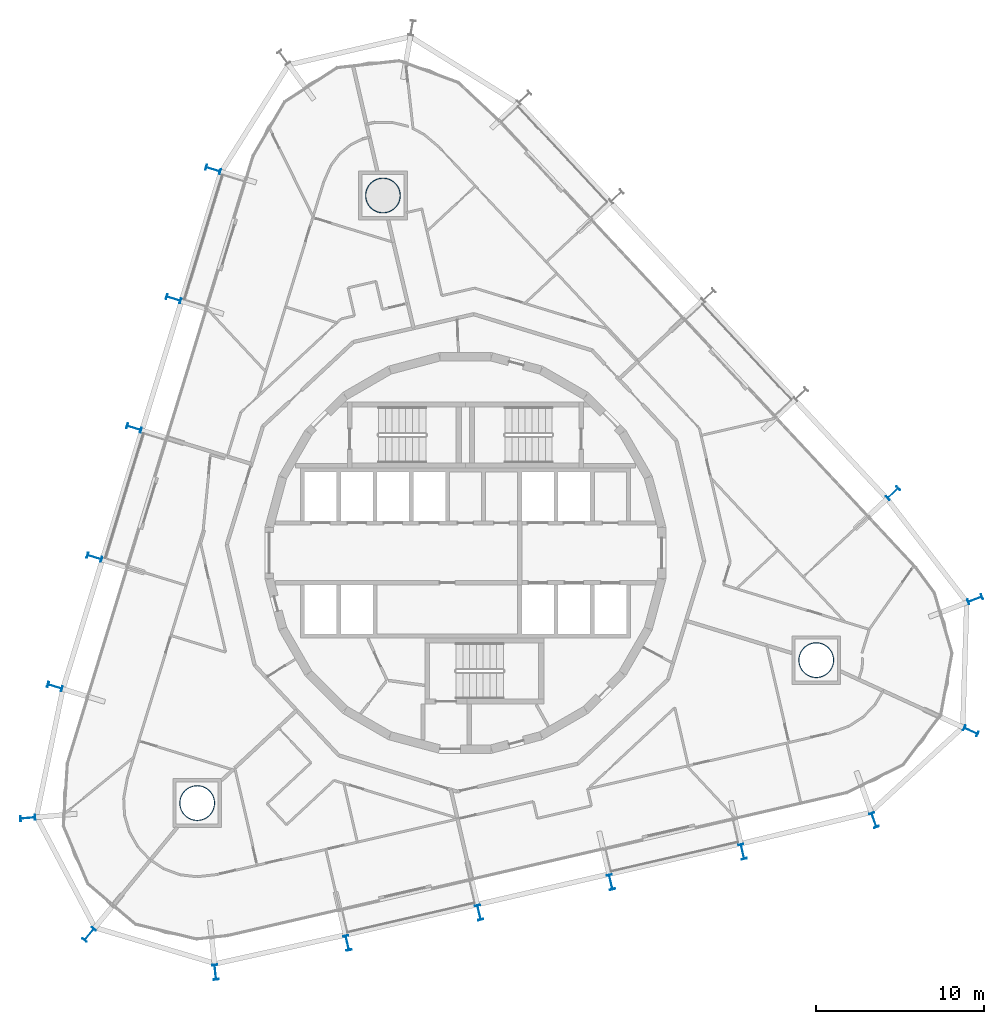
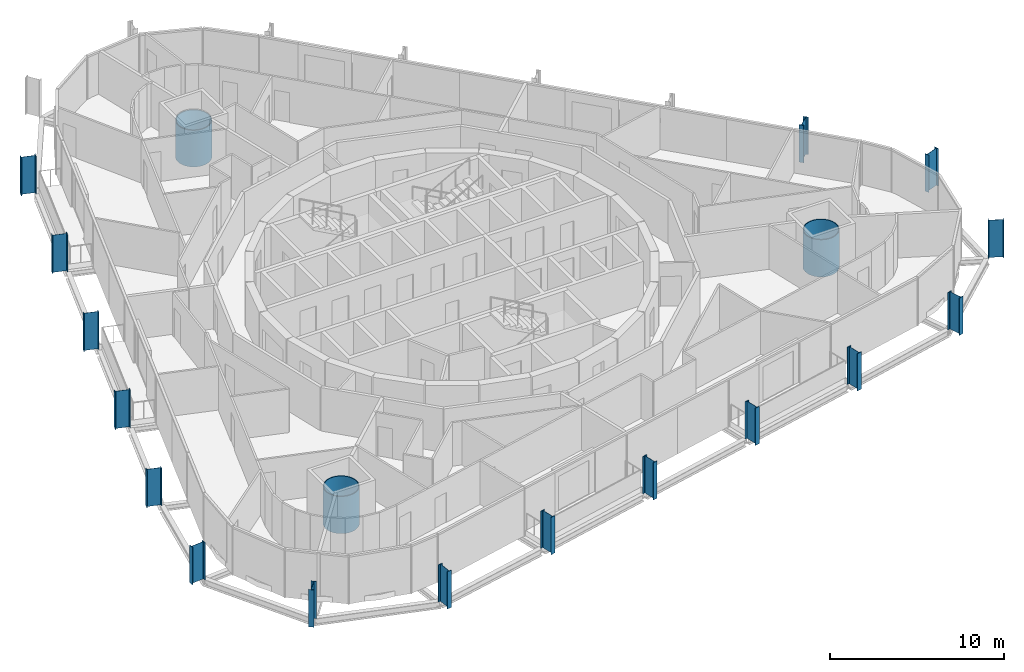
# One storey, part 1 of 18: 19 columns.
"""IFC4 building model written with IfcOpenShell, lengths in metres."""

from ifc_helpers import new_model, si_unit, direction, frame, origin, origin_2d, place, context, subcontext, project, spatial, hollow_circle, i_section, extrude, material, material_profile, profile_set, type_object, element, save


model = new_model("IFC4")

# Units and contexts
model_context = context("Model", 3, precision=1e-05, world=origin(), true_north=direction((0.0, 1.0)))
body_context = subcontext(model_context, "Body", "Model", "MODEL_VIEW")
ifc_project = project(units=[si_unit("LENGTHUNIT", "METRE"), si_unit("AREAUNIT", "SQUARE_METRE"), si_unit("VOLUMEUNIT", "CUBIC_METRE"), si_unit("PLANEANGLEUNIT", "RADIAN"), si_unit("MASSUNIT", "GRAM", prefix="KILO")], contexts=[model_context])

# Site, building, storey
site_placement = place(None, origin())
site = spatial("IfcSite", under=ifc_project, at=site_placement, CompositionType="ELEMENT")
building_placement = place(site_placement, origin())
building = spatial("IfcBuilding", under=site, at=building_placement, Name="Spindle Arch Residences", CompositionType="ELEMENT")
storey_placement = place(building_placement, frame((0.0, 0.0, 141.39990234375)))
storey = spatial("IfcBuildingStorey", under=building, at=storey_placement, Name="L35", CompositionType="ELEMENT", Elevation=141.39990234375)

# Columns
ifc_material_1 = material(Name="Steel S460ML, intumescent coating R 240", Category="steel")
ifc_material_profile_1 = material_profile(ifc_material_1, i_section(OverallWidth=0.300048828125, OverallDepth=0.89990234375, WebThickness=0.0185546875, FlangeThickness=0.034912109375, FilletRadius=0.030029296875, at=origin_2d()), Name="HEB 900")
ifc_profile_set_1 = profile_set([ifc_material_profile_1], Name="Steel S460ML, intumescent coating R 240")
column_type_1 = type_object("IfcColumnType", Name="Exoskeleton post HEB 900", PredefinedType="COLUMN", material=ifc_profile_set_1)
for number, where, z_axis, x_axis, name in (
    (1, (8.633544921875, -19.5498046875, -0.3798828125), (0.0, 0.0, 1.0), (-0.974370073419, -0.224951016948, 0.0), "Exoskeleton post 1"),
    (2, (16.45703125, -17.74365234375, -0.3798828125), (0.0, 0.0, 1.0), (-0.974370073419, -0.224951016948, 0.0), "Exoskeleton post 2"),
    (3, (24.26123046875, -15.86767578125, -0.3798828125), (0.0, 0.0, 1.0), (-0.940523325903, -0.339729117728, 0.0), "Exoskeleton post 3"),
    (4, (30.013916015625, -10.5712890625, -0.3798828125), (0.0, 0.0, 1.0), (-0.416143895931, -0.909298772615, 0.0), "Exoskeleton post 4"),
    (5, (30.261962890625, -2.756103515625, -0.3798828125), (0.0, 0.0, 1.0), (0.357664986637, -0.933849965109, 0.0), "Exoskeleton post 5"),
    (6, (25.390869140625, 3.550048828125, -0.3798828125), (0.0, 0.0, 1.0), (0.68199801865, -0.731354019992, 0.0), "Exoskeleton post 6"),
    (7, (-14.9873046875, 22.7734375, -0.3798828125), (0.0, 0.0, 1.0), (0.29237190653, 0.956304694264, 0.0), "Exoskeleton post 13"),
    (8, (-17.3349609375, 15.09521484375, -0.3798828125), (0.0, 0.0, 1.0), (0.29237190653, 0.956304694264, 0.0), "Exoskeleton post 14"),
    (9, (-19.682373046875, 7.4169921875, -0.3798828125), (0.0, 0.0, 1.0), (0.29237190653, 0.956304694264, 0.0), "Exoskeleton post 15"),
    (10, (-22.02978515625, -0.261474609375, -0.3798828125), (0.0, 0.0, 1.0), (0.29237190653, 0.956304694264, 0.0), "Exoskeleton post 16"),
    (11, (-24.37744140625, -7.939697265625, -0.3798828125), (0.0, 0.0, 1.0), (0.29237190653, 0.956304694264, 0.0), "Exoskeleton post 17"),
    (12, (-25.9912109375, -15.742919921875, -0.3798828125), (0.0, 0.0, 1.0), (-0.087904987966, 0.996128863697, 0.0), "Exoskeleton post 18"),
    (13, (-22.34228515625, -22.65869140625, -0.3798828125), (0.0, 0.0, 1.0), (-0.772637925649, 0.634846938915, 0.0), "Exoskeleton post 19"),
    (14, (-14.85009765625, -24.897216796875, -0.3798828125), (0.0, 0.0, 1.0), (-0.994264182944, -0.106952019682, 0.0), "Exoskeleton post 20"),
    (15, (-7.01318359375, -23.162109375, -0.3798828125), (0.0, 0.0, 1.0), (-0.974370073419, -0.224951016948, 0.0), "Exoskeleton post 21"),
    (16, (0.810302734375, -21.35595703125, -0.3798828125), (0.0, 0.0, 1.0), (-0.974370073419, -0.224951016948, 0.0), "Exoskeleton post 22"),
):
    element("IfcColumn", number, at=place(storey_placement, frame(where, z_axis=z_axis, x_axis=x_axis)), inside=storey, type_object=column_type_1, Name=name, PredefinedType="COLUMN", context=body_context, shape_type="SweptSolid", body=[
        extrude(i_section(OverallWidth=0.300048828125, OverallDepth=0.89990234375, WebThickness=0.0185546875, FlangeThickness=0.034912109375, FilletRadius=0.030029296875, at=origin_2d()), origin(), (0.0, 0.0, 1.0), 2.615966796875),
    ])
ifc_material_2 = material(Name="Concrete C50/60 filled steel tube S460ML, intumescent coating R 240", Category="concrete")
ifc_material_profile_2 = material_profile(ifc_material_2, hollow_circle(Radius=1.050048828125, WallThickness=0.050048828125, at=origin_2d()), Name="CFT D2100x50")
ifc_profile_set_2 = profile_set([ifc_material_profile_2], Name="Concrete C50/60 filled steel tube S460ML, intumescent coating R 240")
column_type_2 = type_object("IfcColumnType", Name="Mega-column CFT D2100x50", PredefinedType="COLUMN", material=ifc_profile_set_2)
column_1_placement = place(storey_placement, frame((20.830078125, -6.368408203125, -0.3798828125), z_axis=(0.0, 0.0, 1.0), x_axis=(1.0, 0.0, 0.0)))
element("IfcColumn", 17, at=column_1_placement, inside=storey, type_object=column_type_2, Name="Mega-column 1", PredefinedType="COLUMN", context=body_context, shape_type="SweptSolid", body=[
    extrude(hollow_circle(Radius=1.050048828125, WallThickness=0.050048828125, at=origin_2d()), origin(), (0.0, 0.0, 1.0), 2.615966796875),
])
column_2_placement = place(storey_placement, frame((-4.89990234375, 21.223388671875, -0.3798828125), z_axis=(0.0, 0.0, 1.0), x_axis=(1.0, 0.0, 0.0)))
element("IfcColumn", 18, at=column_2_placement, inside=storey, type_object=column_type_2, Name="Mega-column 2", PredefinedType="COLUMN", context=body_context, shape_type="SweptSolid", body=[
    extrude(hollow_circle(Radius=1.050048828125, WallThickness=0.050048828125, at=origin_2d()), origin(), (0.0, 0.0, 1.0), 2.575927734375),
])
column_3_placement = place(storey_placement, frame((-15.93017578125, -14.855224609375, -0.3798828125), z_axis=(0.0, 0.0, 1.0), x_axis=(1.0, 0.0, 0.0)))
element("IfcColumn", 19, at=column_3_placement, inside=storey, type_object=column_type_2, Name="Mega-column 3", PredefinedType="COLUMN", context=body_context, shape_type="SweptSolid", body=[
    extrude(hollow_circle(Radius=1.050048828125, WallThickness=0.050048828125, at=origin_2d()), origin(), (0.0, 0.0, 1.0), 2.615966796875),
])

save(model, "model.ifc")
